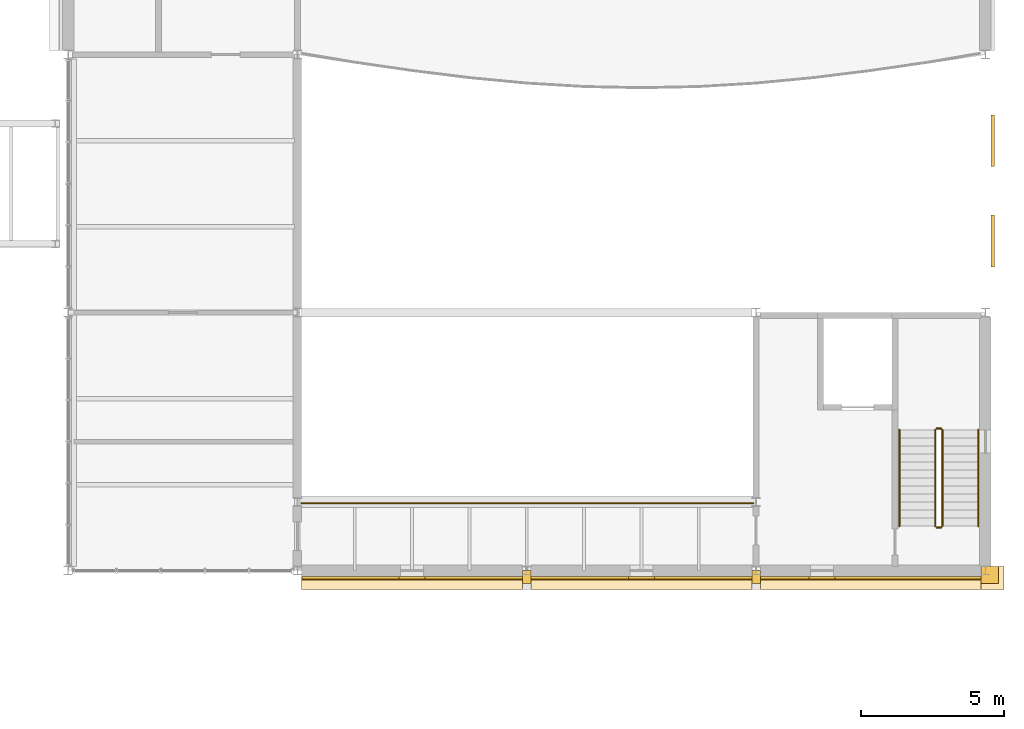
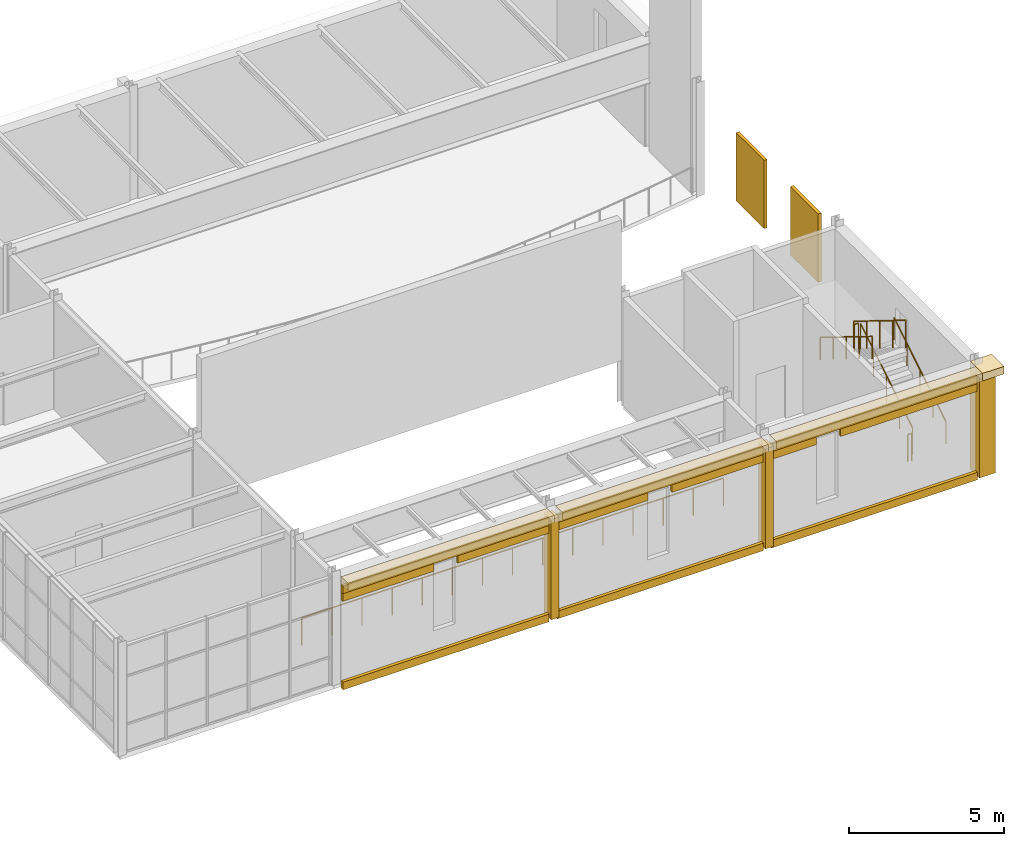
# One storey, part 149 of 153: 21 coverings, 7 railings.
"""IFC4 building model written with IfcOpenShell, lengths in metres."""

from ifc_helpers import new_model, si_unit, direction, frame, origin, origin_2d, place, context, subcontext, project, spatial, rectangle, circle, extrude, material, layer, layer_set, type_object, element, save


model = new_model("IFC4")

# Units and contexts
model_context = context("Model", 3, precision=1e-05, world=origin(), true_north=direction((0.0, 1.0)))
body_context = subcontext(model_context, "Body", "Model", "MODEL_VIEW")
ifc_project = project(units=[si_unit("LENGTHUNIT", "METRE"), si_unit("AREAUNIT", "SQUARE_METRE"), si_unit("VOLUMEUNIT", "CUBIC_METRE"), si_unit("PLANEANGLEUNIT", "RADIAN"), si_unit("MASSUNIT", "GRAM", prefix="KILO")], contexts=[model_context])

# Site, building, storey
site_placement = place(None, origin())
site = spatial("IfcSite", under=ifc_project, at=site_placement, CompositionType="ELEMENT")
building_placement = place(site_placement, origin())
building = spatial("IfcBuilding", under=site, at=building_placement, Name="Kallimachos Central Library", CompositionType="ELEMENT")
storey_placement = place(building_placement, frame((0.0, 0.0, 5.39990234375)))
storey = spatial("IfcBuildingStorey", under=building, at=storey_placement, Name="L01", CompositionType="ELEMENT", Elevation=5.39990234375)

# Railing
ifc_material_1 = material(Name="Wrought iron")
railing_type_1 = type_object("IfcRailingType", Name="Balcony guard 1100", PredefinedType="GUARDRAIL", material=ifc_material_1)
railing_1_placement = place(storey_placement, frame((146.14990234375, 89.35009765625, 0.0)))
element("IfcRailing", 1, at=railing_1_placement, inside=storey, type_object=railing_type_1, Name="Stage gallery guard L01", PredefinedType="GUARDRAIL", context=body_context, shape_type="SweptSolid", body=[
    extrude(circle(Radius=0.02392578125, at=origin_2d()), frame((0.0, 0.0, 1.076171875), z_axis=(1.0, 0.0, 0.0), x_axis=(0.0, 1.0, 0.0)), (0.0, 0.0, 1.0), 15.75),
    extrude(circle(Radius=0.02099609375, at=origin_2d()), origin(), (0.0, 0.0, 1.0), 1.052001953125),
    extrude(circle(Radius=0.02099609375, at=origin_2d()), frame((1.125, 0.0, 0.0)), (0.0, 0.0, 1.0), 1.052001953125),
    extrude(circle(Radius=0.02099609375, at=origin_2d()), frame((2.25, 0.0, 0.0)), (0.0, 0.0, 1.0), 1.052001953125),
    extrude(circle(Radius=0.02099609375, at=origin_2d()), frame((3.375, 0.0, 0.0)), (0.0, 0.0, 1.0), 1.052001953125),
    extrude(circle(Radius=0.02099609375, at=origin_2d()), frame((4.5, 0.0, 0.0)), (0.0, 0.0, 1.0), 1.052001953125),
    extrude(circle(Radius=0.02099609375, at=origin_2d()), frame((5.625, 0.0, 0.0)), (0.0, 0.0, 1.0), 1.052001953125),
    extrude(circle(Radius=0.02099609375, at=origin_2d()), frame((6.75, 0.0, 0.0)), (0.0, 0.0, 1.0), 1.052001953125),
    extrude(circle(Radius=0.02099609375, at=origin_2d()), frame((7.875, 0.0, 0.0)), (0.0, 0.0, 1.0), 1.052001953125),
    extrude(circle(Radius=0.02099609375, at=origin_2d()), frame((9.0, 0.0, 0.0)), (0.0, 0.0, 1.0), 1.052001953125),
    extrude(circle(Radius=0.02099609375, at=origin_2d()), frame((10.125, 0.0, 0.0)), (0.0, 0.0, 1.0), 1.052001953125),
    extrude(circle(Radius=0.02099609375, at=origin_2d()), frame((11.25, 0.0, 0.0)), (0.0, 0.0, 1.0), 1.052001953125),
    extrude(circle(Radius=0.02099609375, at=origin_2d()), frame((12.375, 0.0, 0.0)), (0.0, 0.0, 1.0), 1.052001953125),
    extrude(circle(Radius=0.02099609375, at=origin_2d()), frame((13.5, 0.0, 0.0)), (0.0, 0.0, 1.0), 1.052001953125),
    extrude(circle(Radius=0.02099609375, at=origin_2d()), frame((14.625, 0.0, 0.0)), (0.0, 0.0, 1.0), 1.052001953125),
    extrude(circle(Radius=0.02099609375, at=origin_2d()), frame((15.75, 0.0, 0.0)), (0.0, 0.0, 1.0), 1.052001953125),
])

# Coverings
ifc_material_2 = material(Name="Pentelic marble cladding", Category="masonry")
ifc_layer_1 = layer(ifc_material_2, 0.1201171875)
ifc_layer_set_1 = layer_set([ifc_layer_1], Name="Blind arcade relief panel")
covering_type_1 = type_object("IfcCoveringType", Name="Blind arcade relief panel", PredefinedType="CLADDING", material=ifc_layer_set_1)
for number, where, z_axis, x_axis, name in (
    (2, (170.260009765625, 98.5, 0.89990234375), (0.0, 0.0, 1.0), (1.0, 0.0, 0.0), "Blind arcade relief panel"),
    (3, (170.260009765625, 102.0, 0.89990234375), (0.0, 0.0, 1.0), (1.0, 0.0, 0.0), "Blind arcade relief panel"),
):
    element("IfcCovering", number, at=place(storey_placement, frame(where, z_axis=z_axis, x_axis=x_axis)), inside=storey, type_object=covering_type_1, Name=name, PredefinedType="CLADDING", context=body_context, shape_type="SweptSolid", body=[
        extrude(rectangle(XDim=0.1201171875, YDim=1.800048828125, at=origin_2d()), origin(), (0.0, 0.0, 1.0), 2.699951171875),
    ])
ifc_material_3 = material(Name="Glazed ceramic frieze, green")
ifc_layer_2 = layer(ifc_material_3, 0.10009765625)
ifc_layer_set_2 = layer_set([ifc_layer_2], Name="Glazed ceramic frieze, green")
covering_type_2 = type_object("IfcCoveringType", Name="Glazed ceramic frieze, green", PredefinedType="CLADDING", material=ifc_layer_set_2)
for number, where, z_axis, x_axis, name in (
    (4, (150.0, 86.75, 3.6298828125), (0.0, 0.0, 1.0), (1.0, 0.0, 0.0), "Glazed ceramic frieze, green -L01-005"),
    (5, (158.0, 86.75, 3.6298828125), (0.0, 0.0, 1.0), (1.0, 0.0, 0.0), "Glazed ceramic frieze, green -L01-006"),
    (6, (166.0, 86.75, 3.6298828125), (0.0, 0.0, 1.0), (1.0, 0.0, 0.0), "Glazed ceramic frieze, green -L01-007"),
):
    element("IfcCovering", number, at=place(storey_placement, frame(where, z_axis=z_axis, x_axis=x_axis)), inside=storey, type_object=covering_type_2, Name=name, PredefinedType="CLADDING", context=body_context, shape_type="SweptSolid", body=[
        extrude(rectangle(XDim=7.699951171875, YDim=0.10009765625, at=origin_2d()), origin(), (0.0, 0.0, 1.0), 0.300048828125),
    ])
ifc_material_4 = material(Name="Glazed ceramic frieze, ochre")
ifc_layer_3 = layer(ifc_material_4, 0.10009765625)
ifc_layer_set_3 = layer_set([ifc_layer_3], Name="Glazed ceramic frieze, ochre")
covering_type_3 = type_object("IfcCoveringType", Name="Glazed ceramic frieze, ochre", PredefinedType="CLADDING", material=ifc_layer_set_3)
for number, where, z_axis, x_axis, name in (
    (7, (147.85009765625, 86.75, 3.330078125), (0.0, 0.0, 1.0), (1.0, 0.0, 0.0), "Glazed ceramic frieze, ochre -L01-005"),
    (8, (152.14990234375, 86.75, 3.330078125), (0.0, 0.0, 1.0), (1.0, 0.0, 0.0), "Glazed ceramic frieze, ochre -L01-005"),
    (9, (155.85009765625, 86.75, 3.330078125), (0.0, 0.0, 1.0), (1.0, 0.0, 0.0), "Glazed ceramic frieze, ochre -L01-006"),
    (10, (160.14990234375, 86.75, 3.330078125), (0.0, 0.0, 1.0), (1.0, 0.0, 0.0), "Glazed ceramic frieze, ochre -L01-006"),
):
    element("IfcCovering", number, at=place(storey_placement, frame(where, z_axis=z_axis, x_axis=x_axis)), inside=storey, type_object=covering_type_3, Name=name, PredefinedType="CLADDING", context=body_context, shape_type="SweptSolid", body=[
        extrude(rectangle(XDim=3.39990234375, YDim=0.10009765625, at=origin_2d()), origin(), (0.0, 0.0, 1.0), 0.300048828125),
    ])
covering_1_placement = place(storey_placement, frame((163.0, 86.75, 3.330078125), z_axis=(0.0, 0.0, 1.0), x_axis=(1.0, 0.0, 0.0)))
element("IfcCovering", 11, at=covering_1_placement, inside=storey, type_object=covering_type_3, Name="Glazed ceramic frieze, ochre -L01-007", PredefinedType="CLADDING", context=body_context, shape_type="SweptSolid", body=[
    extrude(rectangle(XDim=1.699951171875, YDim=0.10009765625, at=origin_2d()), origin(), (0.0, 0.0, 1.0), 0.300048828125),
])
covering_2_placement = place(storey_placement, frame((167.300048828125, 86.75, 3.330078125), z_axis=(0.0, 0.0, 1.0), x_axis=(1.0, 0.0, 0.0)))
element("IfcCovering", 12, at=covering_2_placement, inside=storey, type_object=covering_type_3, Name="Glazed ceramic frieze, ochre -L01-007", PredefinedType="CLADDING", context=body_context, shape_type="SweptSolid", body=[
    extrude(rectangle(XDim=5.10009765625, YDim=0.10009765625, at=origin_2d()), origin(), (0.0, 0.0, 1.0), 0.300048828125),
])

# Railings
ifc_material_5 = material(Name="Steel S355J2", Category="steel")
railing_type_2 = type_object("IfcRailingType", Name="Stair guard 1100", PredefinedType="GUARDRAIL", material=ifc_material_5)
railing_2_placement = place(storey_placement, frame((168.5, 88.550048828125, 0.173095703125)))
element("IfcRailing", 13, at=railing_2_placement, inside=storey, type_object=railing_type_2, Name="L01 ST7 stair guard 1", PredefinedType="GUARDRAIL", context=body_context, shape_type="SweptSolid", body=[
    extrude(circle(Radius=0.02392578125, at=origin_2d()), frame((0.0, 0.0, 1.076171875), z_axis=(0.0, 0.850606129759, 0.525803396734), x_axis=(-1.0, 0.0, 0.0)), (0.0, 0.0, 1.0), 3.949951171875),
    extrude(circle(Radius=0.02099609375, at=origin_2d()), origin(), (0.0, 0.0, 1.0), 1.052001953125),
    extrude(circle(Radius=0.02099609375, at=origin_2d()), frame((0.0, 0.83984375, 0.519287109375)), (0.0, 0.0, 1.0), 1.052001953125),
    extrude(circle(Radius=0.02099609375, at=origin_2d()), frame((0.0, 1.679931640625, 1.03857421875)), (0.0, 0.0, 1.0), 1.052001953125),
    extrude(circle(Radius=0.02099609375, at=origin_2d()), frame((0.0, 2.52001953125, 1.5576171875)), (0.0, 0.0, 1.0), 1.052001953125),
    extrude(circle(Radius=0.02099609375, at=origin_2d()), frame((0.0, 3.35986328125, 2.076904296875)), (0.0, 0.0, 1.0), 1.052001953125),
])
railing_3_placement = place(storey_placement, frame((168.449951171875, 91.9599609375, 2.25)))
element("IfcRailing", 14, at=railing_3_placement, inside=storey, type_object=railing_type_2, Name="L01 ST7 stair guard 2", PredefinedType="GUARDRAIL", context=body_context, shape_type="SweptSolid", body=[
    extrude(circle(Radius=0.02392578125, at=origin_2d()), frame((0.0, 0.0, 1.076171875), z_axis=(-1.0, 0.0, 0.0), x_axis=(0.0, -1.0, 0.0)), (0.0, 0.0, 1.0), 0.14990234375),
    extrude(circle(Radius=0.02099609375, at=origin_2d()), origin(), (0.0, 0.0, 1.0), 1.052001953125),
    extrude(circle(Radius=0.02099609375, at=origin_2d()), frame((-0.14990234375, 0.0, 0.0)), (0.0, 0.0, 1.0), 1.052001953125),
])
railing_4_placement = place(storey_placement, frame((168.25, 91.909912109375, 2.423095703125)))
element("IfcRailing", 15, at=railing_4_placement, inside=storey, type_object=railing_type_2, Name="L01 ST7 stair guard 3", PredefinedType="GUARDRAIL", context=body_context, shape_type="SweptSolid", body=[
    extrude(circle(Radius=0.02392578125, at=origin_2d()), frame((0.0, 0.0, 1.076171875), z_axis=(0.0, -0.850606129759, 0.525803396734), x_axis=(1.0, 0.0, 0.0)), (0.0, 0.0, 1.0), 3.949951171875),
    extrude(circle(Radius=0.02099609375, at=origin_2d()), origin(), (0.0, 0.0, 1.0), 1.052001953125),
    extrude(circle(Radius=0.02099609375, at=origin_2d()), frame((0.0, -0.83984375, 0.519287109375)), (0.0, 0.0, 1.0), 1.052001953125),
    extrude(circle(Radius=0.02099609375, at=origin_2d()), frame((0.0, -1.679931640625, 1.03857421875)), (0.0, 0.0, 1.0), 1.052001953125),
    extrude(circle(Radius=0.02099609375, at=origin_2d()), frame((0.0, -2.52001953125, 1.5576171875)), (0.0, 0.0, 1.0), 1.052001953125),
    extrude(circle(Radius=0.02099609375, at=origin_2d()), frame((0.0, -3.35986328125, 2.076904296875)), (0.0, 0.0, 1.0), 1.052001953125),
])
railing_5_placement = place(storey_placement, frame((168.449951171875, 88.5, 0.0)))
element("IfcRailing", 16, at=railing_5_placement, inside=storey, type_object=railing_type_2, Name="L01 ST7 stair guard 4", PredefinedType="GUARDRAIL", context=body_context, shape_type="SweptSolid", body=[
    extrude(circle(Radius=0.02392578125, at=origin_2d()), frame((0.0, 0.0, 1.076171875), z_axis=(-1.0, 0.0, 0.0), x_axis=(0.0, -1.0, 0.0)), (0.0, 0.0, 1.0), 0.14990234375),
    extrude(circle(Radius=0.02099609375, at=origin_2d()), origin(), (0.0, 0.0, 1.0), 1.052001953125),
    extrude(circle(Radius=0.02099609375, at=origin_2d()), frame((-0.14990234375, 0.0, 0.0)), (0.0, 0.0, 1.0), 1.052001953125),
])
ifc_material_6 = material(Name="Steel S355J2", Category="steel")
railing_type_3 = type_object("IfcRailingType", Name="Stair handrail 900", PredefinedType="HANDRAIL", material=ifc_material_6)
railing_6_placement = place(storey_placement, frame((169.75, 88.550048828125, 0.173095703125)))
element("IfcRailing", 17, at=railing_6_placement, inside=storey, type_object=railing_type_3, Name="L01 ST7 stair handrail 1", PredefinedType="HANDRAIL", context=body_context, shape_type="SweptSolid", body=[
    extrude(circle(Radius=0.02392578125, at=origin_2d()), frame((0.0, 0.0, 0.8759765625), z_axis=(0.0, 0.850606129759, 0.525803396734), x_axis=(-1.0, 0.0, 0.0)), (0.0, 0.0, 1.0), 3.949951171875),
    extrude(circle(Radius=0.02099609375, at=origin_2d()), origin(), (0.0, 0.0, 1.0), 0.851806640625),
    extrude(circle(Radius=0.02099609375, at=origin_2d()), frame((0.0, 0.83984375, 0.519287109375)), (0.0, 0.0, 1.0), 0.851806640625),
    extrude(circle(Radius=0.02099609375, at=origin_2d()), frame((0.0, 1.679931640625, 1.03857421875)), (0.0, 0.0, 1.0), 0.851806640625),
    extrude(circle(Radius=0.02099609375, at=origin_2d()), frame((0.0, 2.52001953125, 1.5576171875)), (0.0, 0.0, 1.0), 0.851806640625),
    extrude(circle(Radius=0.02099609375, at=origin_2d()), frame((0.0, 3.35986328125, 2.076904296875)), (0.0, 0.0, 1.0), 0.851806640625),
])
railing_7_placement = place(storey_placement, frame((167.0, 91.909912109375, 2.423095703125)))
element("IfcRailing", 18, at=railing_7_placement, inside=storey, type_object=railing_type_3, Name="L01 ST7 stair handrail 2", PredefinedType="HANDRAIL", context=body_context, shape_type="SweptSolid", body=[
    extrude(circle(Radius=0.02392578125, at=origin_2d()), frame((0.0, 0.0, 0.8759765625), z_axis=(0.0, -0.850606129759, 0.525803396734), x_axis=(1.0, 0.0, 0.0)), (0.0, 0.0, 1.0), 3.949951171875),
    extrude(circle(Radius=0.02099609375, at=origin_2d()), origin(), (0.0, 0.0, 1.0), 0.851806640625),
    extrude(circle(Radius=0.02099609375, at=origin_2d()), frame((0.0, -0.83984375, 0.519287109375)), (0.0, 0.0, 1.0), 0.851806640625),
    extrude(circle(Radius=0.02099609375, at=origin_2d()), frame((0.0, -1.679931640625, 1.03857421875)), (0.0, 0.0, 1.0), 0.851806640625),
    extrude(circle(Radius=0.02099609375, at=origin_2d()), frame((0.0, -2.52001953125, 1.5576171875)), (0.0, 0.0, 1.0), 0.851806640625),
    extrude(circle(Radius=0.02099609375, at=origin_2d()), frame((0.0, -3.35986328125, 2.076904296875)), (0.0, 0.0, 1.0), 0.851806640625),
])

# Coverings
ifc_material_7 = material(Name="Pentelic marble attic moulding", Category="masonry")
ifc_layer_4 = layer(ifc_material_7, 0.1201171875)
ifc_layer_set_4 = layer_set([ifc_layer_4], Name="Stone attic moulding 300")
covering_type_4 = type_object("IfcCoveringType", Name="Stone attic moulding 300", PredefinedType="MOLDING", material=ifc_layer_set_4)
for number, where, z_axis, x_axis, name in (
    (19, (150.0, 86.739990234375, -0.14990234375), (0.0, 0.0, 1.0), (1.0, 0.0, 0.0), "Stone attic moulding 300 -L01-005"),
    (20, (158.0, 86.739990234375, -0.14990234375), (0.0, 0.0, 1.0), (1.0, 0.0, 0.0), "Stone attic moulding 300 -L01-006"),
    (21, (166.0, 86.739990234375, -0.14990234375), (0.0, 0.0, 1.0), (1.0, 0.0, 0.0), "Stone attic moulding 300 -L01-007"),
):
    element("IfcCovering", number, at=place(storey_placement, frame(where, z_axis=z_axis, x_axis=x_axis)), inside=storey, type_object=covering_type_4, Name=name, PredefinedType="MOLDING", context=body_context, shape_type="SweptSolid", body=[
        extrude(rectangle(XDim=7.699951171875, YDim=0.1201171875, at=origin_2d()), origin(), (0.0, 0.0, 1.0), 0.300048828125),
    ])
ifc_material_8 = material(Name="Pentelic marble cornice", Category="masonry")
ifc_layer_5 = layer(ifc_material_8, 0.449951171875)
ifc_layer_set_5 = layer_set([ifc_layer_5], Name="Stone cornice 450")
covering_type_5 = type_object("IfcCoveringType", Name="Stone cornice 450", PredefinedType="MOLDING", material=ifc_layer_set_5)
for number, where, z_axis, x_axis, name in (
    (22, (150.0, 86.574951171875, 3.9501953125), (0.0, 0.0, 1.0), (1.0, 0.0, 0.0), "Stone cornice 450 -L01-005"),
    (23, (158.0, 86.574951171875, 3.9501953125), (0.0, 0.0, 1.0), (1.0, 0.0, 0.0), "Stone cornice 450 -L01-006"),
    (24, (166.0, 86.574951171875, 3.9501953125), (0.0, 0.0, 1.0), (1.0, 0.0, 0.0), "Stone cornice 450 -L01-007"),
):
    element("IfcCovering", number, at=place(storey_placement, frame(where, z_axis=z_axis, x_axis=x_axis)), inside=storey, type_object=covering_type_5, Name=name, PredefinedType="MOLDING", context=body_context, shape_type="SweptSolid", body=[
        extrude(rectangle(XDim=7.699951171875, YDim=0.449951171875, at=origin_2d()), origin(), (0.0, 0.0, 1.0), 0.300048828125),
    ])
covering_3_placement = place(storey_placement, frame((170.25, 86.75, 3.9501953125), z_axis=(0.0, 0.0, 1.0), x_axis=(1.0, 0.0, 0.0)))
element("IfcCovering", 25, at=covering_3_placement, inside=storey, type_object=covering_type_5, Name="Stone cornice 450 corner", PredefinedType="MOLDING", context=body_context, shape_type="SweptSolid", body=[
    extrude(rectangle(XDim=0.800048828125, YDim=0.800048828125, at=origin_2d()), origin(), (0.0, 0.0, 1.0), 0.300048828125),
])
ifc_material_9 = material(Name="Pentelic marble pilaster", Category="masonry")
ifc_layer_6 = layer(ifc_material_9, 0.25)
ifc_layer_set_6 = layer_set([ifc_layer_6], Name="Stone pilaster 250")
covering_type_6 = type_object("IfcCoveringType", Name="Stone pilaster 250", PredefinedType="CLADDING", material=ifc_layer_set_6)
for number, where, z_axis, x_axis, name in (
    (26, (154.0, 86.77490234375, 0.0), (0.0, 0.0, 1.0), (1.0, 0.0, 0.0), "Stone pilaster 250 -L01-005"),
    (27, (162.0, 86.77490234375, 0.0), (0.0, 0.0, 1.0), (1.0, 0.0, 0.0), "Stone pilaster 250 -L01-006"),
):
    element("IfcCovering", number, at=place(storey_placement, frame(where, z_axis=z_axis, x_axis=x_axis)), inside=storey, type_object=covering_type_6, Name=name, PredefinedType="CLADDING", context=body_context, shape_type="SweptSolid", body=[
        extrude(rectangle(XDim=0.300048828125, YDim=0.449951171875, at=origin_2d()), origin(), (0.0, 0.0, 1.0), 3.949951171875),
    ])
covering_4_placement = place(storey_placement, frame((170.14990234375, 86.85009765625, 0.0), z_axis=(0.0, 0.0, 1.0), x_axis=(1.0, 0.0, 0.0)))
element("IfcCovering", 28, at=covering_4_placement, inside=storey, type_object=covering_type_6, Name="Stone pilaster 250 corner", PredefinedType="CLADDING", context=body_context, shape_type="SweptSolid", body=[
    extrude(rectangle(XDim=0.60009765625, YDim=0.60009765625, at=origin_2d()), origin(), (0.0, 0.0, 1.0), 3.949951171875),
])

save(model, "model.ifc")
